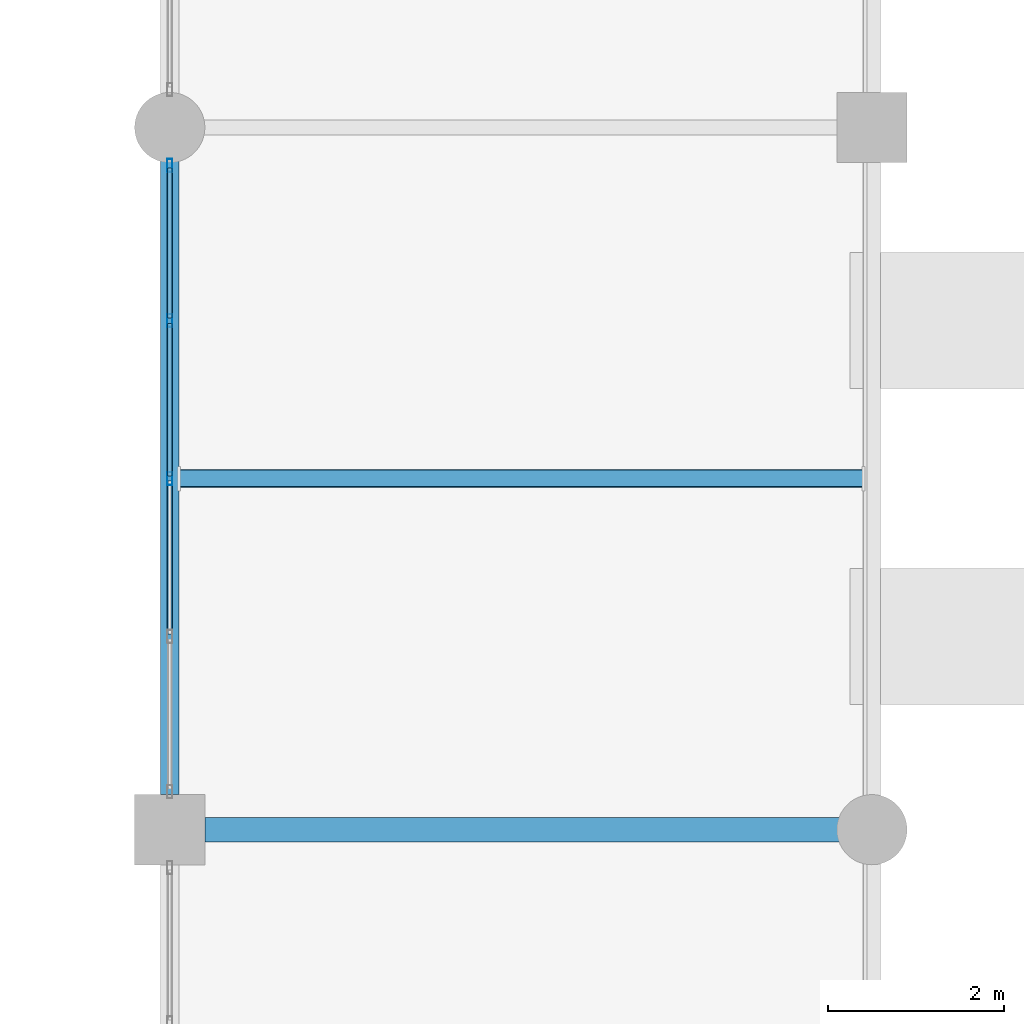
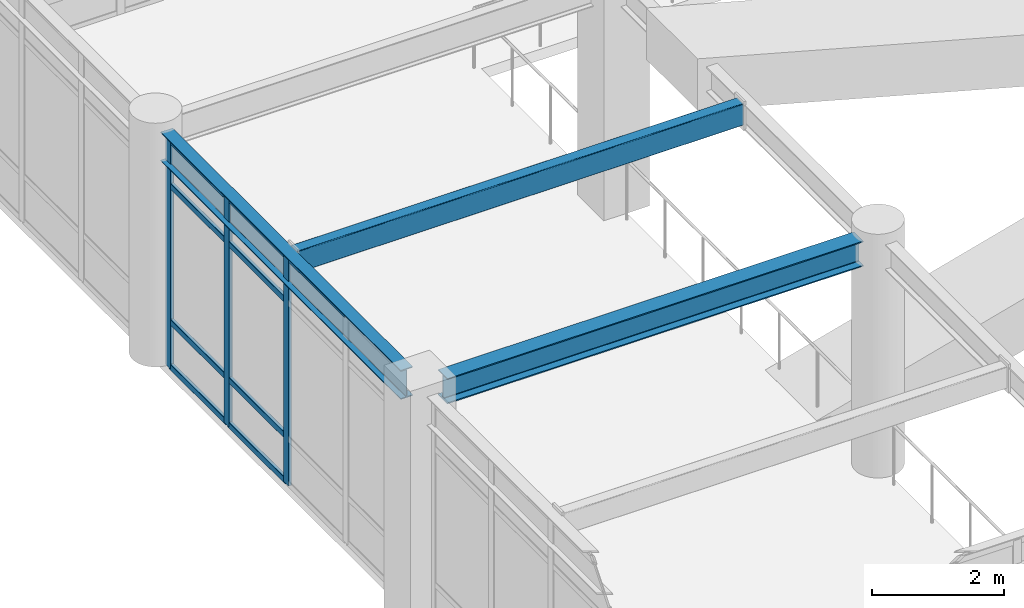
# One storey, part 21 of 93: 12 members, 3 beams, 1 element without a shape of its own.
"""IFC4 building model written with IfcOpenShell, lengths in metres."""

from ifc_helpers import new_model, si_unit, direction, frame, origin, origin_2d, place, context, subcontext, project, spatial, hollow_rectangle, i_section, extrude, material, material_profile, profile_set, type_object, element, aggregate, save


model = new_model("IFC4")

# Units and contexts
model_context = context("Model", 3, precision=1e-05, world=origin(), true_north=direction((0.0, 1.0)))
body_context = subcontext(model_context, "Body", "Model", "MODEL_VIEW")
ifc_project = project(units=[si_unit("LENGTHUNIT", "METRE"), si_unit("AREAUNIT", "SQUARE_METRE"), si_unit("VOLUMEUNIT", "CUBIC_METRE"), si_unit("PLANEANGLEUNIT", "RADIAN"), si_unit("MASSUNIT", "GRAM", prefix="KILO")], contexts=[model_context])

# Site, building, storey
site_placement = place(None, origin())
site = spatial("IfcSite", under=ifc_project, at=site_placement, CompositionType="ELEMENT")
building_placement = place(site_placement, origin())
building = spatial("IfcBuilding", under=site, at=building_placement, Name="Solmirada Galleria", CompositionType="ELEMENT")
storey_placement = place(building_placement, frame((0.0, 0.0, 14.89990234375)))
storey = spatial("IfcBuildingStorey", under=building, at=storey_placement, Name="L03", CompositionType="ELEMENT", Elevation=14.89990234375)

# Beams
ifc_material_1 = material(Name="Steel S355 / ASTM A992 Grade 50", Category="steel")
ifc_material_profile_1 = material_profile(ifc_material_1, i_section(OverallWidth=0.281982421875, OverallDepth=0.467041015625, WebThickness=0.01220703125, FlangeThickness=0.01953125, FilletRadius=0.013916015625, at=origin_2d()), Name="W18X86")
ifc_profile_set_1 = profile_set([ifc_material_profile_1], Name="Steel S355 / ASTM A992 Grade 50")
beam_type_1 = type_object("IfcBeamType", Name="BM-GIRD-W18A", PredefinedType="BEAM", material=ifc_profile_set_1)
beam_1_placement = place(storey_placement, frame((80.39990234375, 56.0, 4.066650390625), z_axis=(1.0, 0.0, 0.0), x_axis=(0.0, 1.0, 0.0)))
element("IfcBeam", 1, at=beam_1_placement, inside=storey, type_object=beam_type_1, Name="Primary beam L04 X(80..88, 56)", PredefinedType="BEAM", context=body_context, shape_type="SweptSolid", body=[
    extrude(i_section(OverallWidth=0.281982421875, OverallDepth=0.467041015625, WebThickness=0.01220703125, FlangeThickness=0.01953125, FilletRadius=0.013916015625, at=origin_2d()), origin(), (0.0, 0.0, 1.0), 7.26416015625),
])
ifc_material_profile_2 = material_profile(ifc_material_1, i_section(OverallWidth=0.2099609375, OverallDepth=0.537109375, WebThickness=0.010986328125, FlangeThickness=0.017333984375, FilletRadius=0.014892578125, at=origin_2d()), Name="W21X68")
ifc_profile_set_2 = profile_set([ifc_material_profile_2], Name="Steel S355 / ASTM A992 Grade 50")
beam_type_2 = type_object("IfcBeamType", Name="BM-GIRD-W21B", PredefinedType="BEAM", material=ifc_profile_set_2)
beam_2_placement = place(storey_placement, frame((80.0, 56.39990234375, 4.031494140625), z_axis=(0.0, 1.0, 0.0), x_axis=(-1.0, 0.0, 0.0)))
element("IfcBeam", 2, at=beam_2_placement, inside=storey, type_object=beam_type_2, Name="Primary girder L04 Y(80, 56..64)", PredefinedType="BEAM", context=body_context, shape_type="SweptSolid", body=[
    extrude(i_section(OverallWidth=0.2099609375, OverallDepth=0.537109375, WebThickness=0.010986328125, FlangeThickness=0.017333984375, FilletRadius=0.014892578125, at=origin_2d()), origin(), (0.0, 0.0, 1.0), 7.26416015625),
])
ifc_material_2 = material(Name="Steel S355 / ASTM A500 Grade C", Category="steel")
ifc_material_profile_3 = material_profile(ifc_material_2, hollow_rectangle(XDim=0.202880859375, YDim=0.406005859375, WallThickness=0.01171875, InnerFilletRadius=0.01171875, OuterFilletRadius=0.023681640625, at=origin_2d()), Name="HSS16X8X1/2")
ifc_profile_set_3 = profile_set([ifc_material_profile_3], Name="Steel S355 / ASTM A500 Grade C")
beam_type_3 = type_object("IfcBeamType", Name="BM-JST-W16B", PredefinedType="JOIST", material=ifc_profile_set_3)
beam_3_placement = place(storey_placement, frame((80.10498046875, 60.0, 4.09716796875), z_axis=(1.0, 0.0, 0.0), x_axis=(0.0, 1.0, 0.0)))
element("IfcBeam", 3, at=beam_3_placement, inside=storey, type_object=beam_type_3, Name="Composite floor joist L04 (80..88, 60.0)", PredefinedType="JOIST", context=body_context, shape_type="SweptSolid", body=[
    extrude(hollow_rectangle(XDim=0.202880859375, YDim=0.406005859375, WallThickness=0.01171875, InnerFilletRadius=0.01171875, OuterFilletRadius=0.023681640625, at=origin_2d()), origin(), (0.0, 0.0, 1.0), 7.798095703125),
])

# Curtain wall, members
ifc_material_3 = material(Name="Impact-resistant low-E double glazing", Category="glass")
curtain_wall_type = type_object("IfcCurtainWallType", Name="CW-FZ3-L03-B4-L072", PredefinedType="NOTDEFINED", material=ifc_material_3)
curtain_wall_placement = place(storey_placement, origin())
curtain_wall = element("IfcCurtainWall", 4, at=curtain_wall_placement, inside=storey, type_object=curtain_wall_type, Name="Terrace and arcade storefront CW-L03-120", PredefinedType="NOTDEFINED")
ifc_material_4 = material(Name="Anodised aluminium framing", Category="aluminium")
ifc_material_profile_4 = material_profile(ifc_material_4, hollow_rectangle(XDim=0.06005859375, YDim=0.14990234375, WallThickness=0.00341796875, InnerFilletRadius=0.00341796875, OuterFilletRadius=0.007080078125, at=origin_2d()), Name="ALU-MULL-150X60")
ifc_profile_set_4 = profile_set([ifc_material_profile_4], Name="Anodised aluminium framing")
member_type_1 = type_object("IfcMemberType", Name="CW-MULL-150", PredefinedType="MULLION", material=ifc_profile_set_4)
member_1_placement = place(storey_placement, frame((80.0, 60.0, 0.0), z_axis=(0.0, 0.0, 1.0), x_axis=(-1.0, 0.0, 0.0)))
member_1 = element("IfcMember", 5, at=member_1_placement, type_object=member_type_1, Name="CW27 mullion 3", PredefinedType="MULLION", context=body_context, shape_type="SweptSolid", body=[
    extrude(hollow_rectangle(XDim=0.06005859375, YDim=0.14990234375, WallThickness=0.00341796875, InnerFilletRadius=0.00341796875, OuterFilletRadius=0.007080078125, at=origin_2d()), origin(), (0.0, 0.0, 1.0), 4.22021484375),
])
member_2_placement = place(storey_placement, frame((80.0, 61.799072265625, 0.0), z_axis=(0.0, 0.0, 1.0), x_axis=(-1.0, 0.0, 0.0)))
member_2 = element("IfcMember", 6, at=member_2_placement, type_object=member_type_1, Name="CW27 mullion 4", PredefinedType="MULLION", context=body_context, shape_type="SweptSolid", body=[
    extrude(hollow_rectangle(XDim=0.06005859375, YDim=0.14990234375, WallThickness=0.00341796875, InnerFilletRadius=0.00341796875, OuterFilletRadius=0.007080078125, at=origin_2d()), origin(), (0.0, 0.0, 1.0), 4.22021484375),
])
member_3_placement = place(storey_placement, frame((80.0, 63.568115234375, 0.0), z_axis=(0.0, 0.0, 1.0), x_axis=(-1.0, 0.0, 0.0)))
member_3 = element("IfcMember", 7, at=member_3_placement, type_object=member_type_1, Name="CW27 mullion 5", PredefinedType="MULLION", context=body_context, shape_type="SweptSolid", body=[
    extrude(hollow_rectangle(XDim=0.06005859375, YDim=0.14990234375, WallThickness=0.00341796875, InnerFilletRadius=0.00341796875, OuterFilletRadius=0.007080078125, at=origin_2d()), origin(), (0.0, 0.0, 1.0), 4.22021484375),
])
ifc_material_profile_5 = material_profile(ifc_material_4, hollow_rectangle(XDim=0.06005859375, YDim=0.110107421875, WallThickness=0.003173828125, InnerFilletRadius=0.003173828125, OuterFilletRadius=0.00634765625, at=origin_2d()), Name="ALU-TRAN-110X60")
ifc_profile_set_5 = profile_set([ifc_material_profile_5], Name="Anodised aluminium framing")
member_type_2 = type_object("IfcMemberType", Name="CW-TRAN-110", PredefinedType="USERDEFINED", material=ifc_profile_set_5)
member_4_placement = place(storey_placement, frame((80.0, 58.23095703125, 4.190185546875), z_axis=(0.0, 1.0, 0.0), x_axis=(-1.0, 0.0, 0.0)))
member_4 = element("IfcMember", 8, at=member_4_placement, type_object=member_type_2, Name="CW27 transom 2.4", ObjectType="TRANSOM", PredefinedType="USERDEFINED", context=body_context, shape_type="SweptSolid", body=[
    extrude(hollow_rectangle(XDim=0.06005859375, YDim=0.110107421875, WallThickness=0.003173828125, InnerFilletRadius=0.003173828125, OuterFilletRadius=0.00634765625, at=origin_2d()), origin(), (0.0, 0.0, 1.0), 1.739013671875),
])
member_5_placement = place(storey_placement, frame((80.0, 60.030029296875, 0.030029296875), z_axis=(0.0, 1.0, 0.0), x_axis=(-1.0, 0.0, 0.0)))
member_5 = element("IfcMember", 9, at=member_5_placement, type_object=member_type_2, Name="CW27 transom 3.1", ObjectType="TRANSOM", PredefinedType="USERDEFINED", context=body_context, shape_type="SweptSolid", body=[
    extrude(hollow_rectangle(XDim=0.06005859375, YDim=0.110107421875, WallThickness=0.003173828125, InnerFilletRadius=0.003173828125, OuterFilletRadius=0.00634765625, at=origin_2d()), origin(), (0.0, 0.0, 1.0), 1.739013671875),
])
member_6_placement = place(storey_placement, frame((80.0, 60.030029296875, 0.860107421875), z_axis=(0.0, 1.0, 0.0), x_axis=(-1.0, 0.0, 0.0)))
member_6 = element("IfcMember", 10, at=member_6_placement, type_object=member_type_2, Name="CW27 transom 3.2", ObjectType="TRANSOM", PredefinedType="USERDEFINED", context=body_context, shape_type="SweptSolid", body=[
    extrude(hollow_rectangle(XDim=0.06005859375, YDim=0.110107421875, WallThickness=0.003173828125, InnerFilletRadius=0.003173828125, OuterFilletRadius=0.00634765625, at=origin_2d()), origin(), (0.0, 0.0, 1.0), 1.739013671875),
])
member_7_placement = place(storey_placement, frame((80.0, 60.030029296875, 3.3701171875), z_axis=(0.0, 1.0, 0.0), x_axis=(-1.0, 0.0, 0.0)))
member_7 = element("IfcMember", 11, at=member_7_placement, type_object=member_type_2, Name="CW27 transom 3.3", ObjectType="TRANSOM", PredefinedType="USERDEFINED", context=body_context, shape_type="SweptSolid", body=[
    extrude(hollow_rectangle(XDim=0.06005859375, YDim=0.110107421875, WallThickness=0.003173828125, InnerFilletRadius=0.003173828125, OuterFilletRadius=0.00634765625, at=origin_2d()), origin(), (0.0, 0.0, 1.0), 1.739013671875),
])
member_8_placement = place(storey_placement, frame((80.0, 60.030029296875, 4.190185546875), z_axis=(0.0, 1.0, 0.0), x_axis=(-1.0, 0.0, 0.0)))
member_8 = element("IfcMember", 12, at=member_8_placement, type_object=member_type_2, Name="CW27 transom 3.4", ObjectType="TRANSOM", PredefinedType="USERDEFINED", context=body_context, shape_type="SweptSolid", body=[
    extrude(hollow_rectangle(XDim=0.06005859375, YDim=0.110107421875, WallThickness=0.003173828125, InnerFilletRadius=0.003173828125, OuterFilletRadius=0.00634765625, at=origin_2d()), origin(), (0.0, 0.0, 1.0), 1.739013671875),
])
member_9_placement = place(storey_placement, frame((80.0, 61.8291015625, 0.030029296875), z_axis=(0.0, 1.0, 0.0), x_axis=(-1.0, 0.0, 0.0)))
member_9 = element("IfcMember", 13, at=member_9_placement, type_object=member_type_2, Name="CW27 transom 4.1", ObjectType="TRANSOM", PredefinedType="USERDEFINED", context=body_context, shape_type="SweptSolid", body=[
    extrude(hollow_rectangle(XDim=0.06005859375, YDim=0.110107421875, WallThickness=0.003173828125, InnerFilletRadius=0.003173828125, OuterFilletRadius=0.00634765625, at=origin_2d()), origin(), (0.0, 0.0, 1.0), 1.708984375),
])
member_10_placement = place(storey_placement, frame((80.0, 61.8291015625, 0.860107421875), z_axis=(0.0, 1.0, 0.0), x_axis=(-1.0, 0.0, 0.0)))
member_10 = element("IfcMember", 14, at=member_10_placement, type_object=member_type_2, Name="CW27 transom 4.2", ObjectType="TRANSOM", PredefinedType="USERDEFINED", context=body_context, shape_type="SweptSolid", body=[
    extrude(hollow_rectangle(XDim=0.06005859375, YDim=0.110107421875, WallThickness=0.003173828125, InnerFilletRadius=0.003173828125, OuterFilletRadius=0.00634765625, at=origin_2d()), origin(), (0.0, 0.0, 1.0), 1.708984375),
])
member_11_placement = place(storey_placement, frame((80.0, 61.8291015625, 3.3701171875), z_axis=(0.0, 1.0, 0.0), x_axis=(-1.0, 0.0, 0.0)))
member_11 = element("IfcMember", 15, at=member_11_placement, type_object=member_type_2, Name="CW27 transom 4.3", ObjectType="TRANSOM", PredefinedType="USERDEFINED", context=body_context, shape_type="SweptSolid", body=[
    extrude(hollow_rectangle(XDim=0.06005859375, YDim=0.110107421875, WallThickness=0.003173828125, InnerFilletRadius=0.003173828125, OuterFilletRadius=0.00634765625, at=origin_2d()), origin(), (0.0, 0.0, 1.0), 1.708984375),
])
member_12_placement = place(storey_placement, frame((80.0, 61.8291015625, 4.190185546875), z_axis=(0.0, 1.0, 0.0), x_axis=(-1.0, 0.0, 0.0)))
member_12 = element("IfcMember", 16, at=member_12_placement, type_object=member_type_2, Name="CW27 transom 4.4", ObjectType="TRANSOM", PredefinedType="USERDEFINED", context=body_context, shape_type="SweptSolid", body=[
    extrude(hollow_rectangle(XDim=0.06005859375, YDim=0.110107421875, WallThickness=0.003173828125, InnerFilletRadius=0.003173828125, OuterFilletRadius=0.00634765625, at=origin_2d()), origin(), (0.0, 0.0, 1.0), 1.708984375),
])
aggregate(curtain_wall, [member_1, member_2, member_3, member_4, member_5, member_6, member_7, member_8, member_9, member_10, member_11, member_12])

save(model, "model.ifc")
